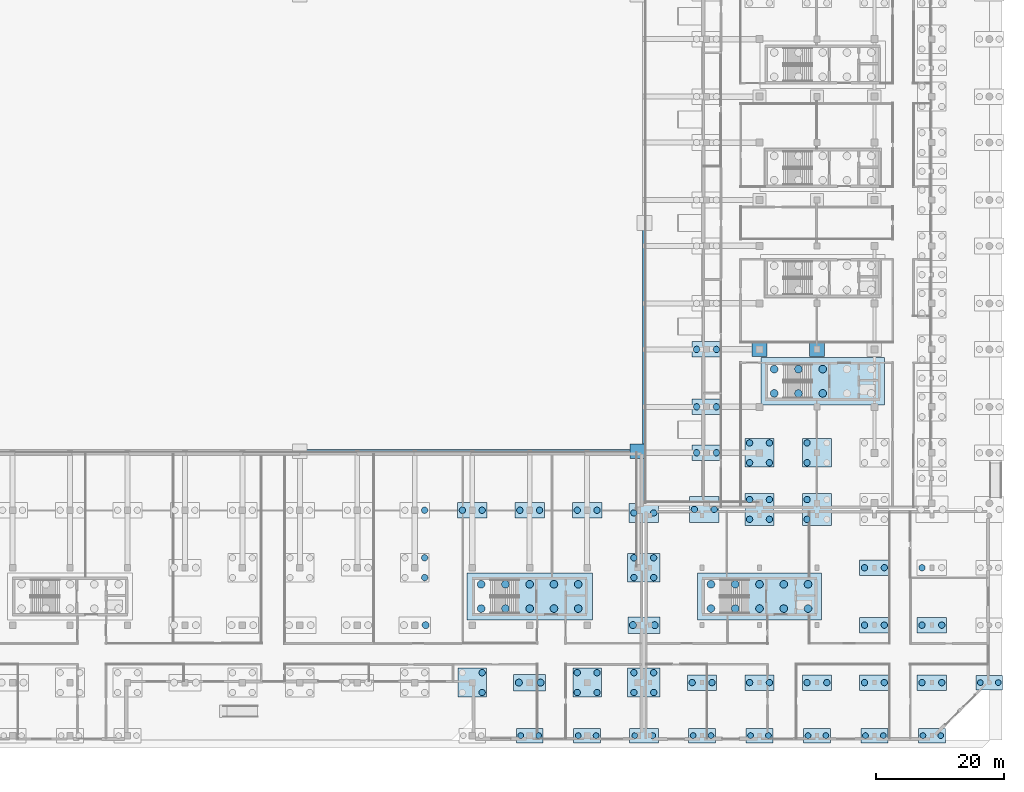
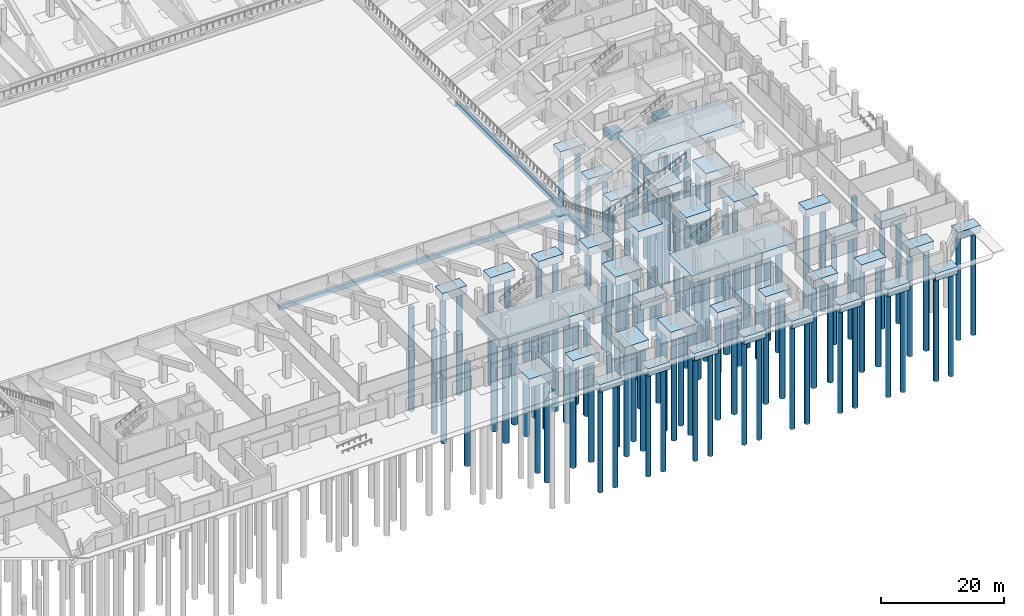
# One storey, part 4 of 53: 111 piles, 43 footings.
"""IFC4 building model written with IfcOpenShell, lengths in metres."""

from ifc_helpers import new_model, si_unit, direction, frame, origin, origin_2d, place, context, subcontext, project, spatial, rectangle, circle, extrude, material, layer, layer_set, material_profile, profile_set, type_object, element, save


model = new_model("IFC4")

# Units and contexts
model_context = context("Model", 3, precision=1e-05, world=origin(), true_north=direction((0.0, 1.0)))
body_context = subcontext(model_context, "Body", "Model", "MODEL_VIEW")
ifc_project = project(units=[si_unit("LENGTHUNIT", "METRE"), si_unit("AREAUNIT", "SQUARE_METRE"), si_unit("VOLUMEUNIT", "CUBIC_METRE"), si_unit("PLANEANGLEUNIT", "RADIAN"), si_unit("MASSUNIT", "GRAM", prefix="KILO"), si_unit("THERMODYNAMICTEMPERATUREUNIT", "KELVIN"), si_unit("POWERUNIT", "WATT")], contexts=[model_context])

# Site, building, storey
site_placement = place(None, origin())
site = spatial("IfcSite", under=ifc_project, at=site_placement, CompositionType="ELEMENT")
building_placement = place(site_placement, origin())
building = spatial("IfcBuilding", under=site, at=building_placement, Name="Sindhuravela Promenade Stadium", CompositionType="ELEMENT")
storey_placement = place(building_placement, origin())
storey = spatial("IfcBuildingStorey", under=building, at=storey_placement, Name="L00", CompositionType="ELEMENT", Elevation=0.0)

# Footings
ifc_material_1 = material(Name="Concrete M40", Category="concrete")
ifc_material_profile_1 = material_profile(ifc_material_1, rectangle(XDim=0.60009765625, YDim=0.89990234375, at=origin_2d()), Name="RC 600x900")
ifc_profile_set_1 = profile_set([ifc_material_profile_1], Name="Concrete M40")
footing_type_1 = type_object("IfcFootingType", Name="FD-FB-600x900", PredefinedType="FOOTING_BEAM", material=ifc_profile_set_1)
footing_1_placement = place(storey_placement, frame((162.0, 37.10009765625, -0.449951171875), z_axis=(0.0, 1.0, 0.0), x_axis=(-1.0, 0.0, 0.0)))
element("IfcFooting", 1, at=footing_1_placement, inside=storey, type_object=footing_type_1, Name="Ground tie beam FB-PW-E1", PredefinedType="FOOTING_BEAM", context=body_context, shape_type="SweptSolid", body=[
    extrude(rectangle(XDim=0.60009765625, YDim=0.89990234375, at=origin_2d()), origin(), (0.0, 0.0, 1.0), 43.89990234375),
])
footing_2_placement = place(storey_placement, frame((108.0, 45.25, -0.449951171875), z_axis=(1.0, 0.0, 0.0), x_axis=(0.0, 1.0, 0.0)))
element("IfcFooting", 2, at=footing_2_placement, inside=storey, type_object=footing_type_1, Name="Ground tie beam FB-PW-S2", PredefinedType="FOOTING_BEAM", context=body_context, shape_type="SweptSolid", body=[
    extrude(rectangle(XDim=0.60009765625, YDim=0.89990234375, at=origin_2d()), origin(), (0.0, 0.0, 1.0), 52.89990234375),
])
ifc_material_2 = material(Name="Concrete M50", Category="concrete")
ifc_layer_1 = layer(ifc_material_2, 1.75)
ifc_layer_set_1 = layer_set([ifc_layer_1], Name="Concrete M50")
footing_type_2 = type_object("IfcFootingType", Name="FD-PC-19400x7400x1750", PredefinedType="PILE_CAP", material=ifc_layer_set_1)
footing_3_placement = place(storey_placement, frame((189.89990234375, 56.199951171875, -1.75), z_axis=(0.0, 0.0, 1.0), x_axis=(1.0, 0.0, 0.0)))
element("IfcFooting", 3, at=footing_3_placement, inside=storey, type_object=footing_type_2, Name="Core pile cap C05", PredefinedType="PILE_CAP", context=body_context, shape_type="SweptSolid", body=[
    extrude(rectangle(XDim=19.39990234375, YDim=7.39990234375, at=origin_2d()), origin(), (0.0, 0.0, 1.0), 1.75),
])
ifc_layer_2 = layer(ifc_material_2, 1.449951171875)
ifc_layer_set_2 = layer_set([ifc_layer_2], Name="Concrete M50")
footing_type_3 = type_object("IfcFootingType", Name="FD-PC-19500x7400x1450", PredefinedType="PILE_CAP", material=ifc_layer_set_2)
footing_4_placement = place(storey_placement, frame((180.0, 22.5, -1.4501953125), z_axis=(0.0, 0.0, 1.0), x_axis=(1.0, 0.0, 0.0)))
element("IfcFooting", 4, at=footing_4_placement, inside=storey, type_object=footing_type_3, Name="Core pile cap C14", PredefinedType="PILE_CAP", context=body_context, shape_type="SweptSolid", body=[
    extrude(rectangle(XDim=19.5, YDim=7.39990234375, at=origin_2d()), origin(), (0.0, 0.0, 1.0), 1.449951171875),
])
ifc_layer_3 = layer(ifc_material_2, 1.60009765625)
ifc_layer_set_3 = layer_set([ifc_layer_3], Name="Concrete M50")
footing_type_4 = type_object("IfcFootingType", Name="FD-PC-19700x7400x1600", PredefinedType="PILE_CAP", material=ifc_layer_set_3)
footing_5_placement = place(storey_placement, frame((144.0, 22.5, -1.60009765625), z_axis=(0.0, 0.0, 1.0), x_axis=(1.0, 0.0, 0.0)))
element("IfcFooting", 5, at=footing_5_placement, inside=storey, type_object=footing_type_4, Name="Core pile cap C12", PredefinedType="PILE_CAP", context=body_context, shape_type="SweptSolid", body=[
    extrude(rectangle(XDim=19.699951171875, YDim=7.39990234375, at=origin_2d()), origin(), (0.0, 0.0, 1.0), 1.60009765625),
])
ifc_layer_4 = layer(ifc_material_2, 1.449951171875)
ifc_layer_set_4 = layer_set([ifc_layer_4], Name="Concrete M50")
footing_type_5 = type_object("IfcFootingType", Name="FD-PC-4200x2250x1450", PredefinedType="PILE_CAP", material=ifc_layer_set_4)
for number, where, z_axis, x_axis, name in (
    (6, (144.0, 0.699951171875, -1.4501953125), (0.0, 0.0, 1.0), (1.0, 0.0, 0.0), "Pile cap PC30-0252"),
    (7, (153.0, 0.699951171875, -1.4501953125), (0.0, 0.0, 1.0), (1.0, 0.0, 0.0), "Pile cap PC30-0257"),
    (8, (171.0, 0.699951171875, -1.4501953125), (0.0, 0.0, 1.0), (1.0, 0.0, 0.0), "Pile cap PC30-0290"),
    (9, (180.0, 0.699951171875, -1.4501953125), (0.0, 0.0, 1.0), (1.0, 0.0, 0.0), "Pile cap PC30-0294"),
    (10, (189.0, 0.699951171875, -1.4501953125), (0.0, 0.0, 1.0), (1.0, 0.0, 0.0), "Pile cap PC30-0298"),
    (11, (198.0, 0.699951171875, -1.4501953125), (0.0, 0.0, 1.0), (1.0, 0.0, 0.0), "Pile cap PC30-0302"),
    (12, (207.0, 0.699951171875, -1.4501953125), (0.0, 0.0, 1.0), (1.0, 0.0, 0.0), "Pile cap PC30-0306"),
    (13, (216.0, 9.0, -1.4501953125), (0.0, 0.0, 1.0), (1.0, 0.0, 0.0), "Pile cap PC30-0310"),
):
    element("IfcFooting", number, at=place(storey_placement, frame(where, z_axis=z_axis, x_axis=x_axis)), inside=storey, type_object=footing_type_5, Name=name, PredefinedType="PILE_CAP", context=body_context, shape_type="SweptSolid", body=[
        extrude(rectangle(XDim=4.199951171875, YDim=2.25, at=origin_2d()), origin(), (0.0, 0.0, 1.0), 1.449951171875),
    ])
ifc_layer_5 = layer(ifc_material_2, 1.75)
ifc_layer_set_5 = layer_set([ifc_layer_5], Name="Concrete M50")
footing_type_6 = type_object("IfcFootingType", Name="FD-PC-4500x4500x1750", PredefinedType="PILE_CAP", material=ifc_layer_set_5)
for number, where, z_axis, x_axis, name in (
    (14, (180.0, 45.0, -1.75), (0.0, 0.0, 1.0), (1.0, 0.0, 0.0), "Pile cap PC26-0086"),
    (15, (189.0, 45.0, -1.75), (0.0, 0.0, 1.0), (1.0, 0.0, 0.0), "Pile cap PC26-0098"),
    (16, (135.0, 9.0, -1.75), (0.0, 0.0, 1.0), (1.0, 0.0, 0.0), "Pile cap PC26-0248"),
    (17, (153.0, 9.0, -1.75), (0.0, 0.0, 1.0), (1.0, 0.0, 0.0), "Pile cap PC26-0258"),
):
    element("IfcFooting", number, at=place(storey_placement, frame(where, z_axis=z_axis, x_axis=x_axis)), inside=storey, type_object=footing_type_6, Name=name, PredefinedType="PILE_CAP", context=body_context, shape_type="SweptSolid", body=[
        extrude(rectangle(XDim=4.5, YDim=4.5, at=origin_2d()), origin(), (0.0, 0.0, 1.0), 1.75),
    ])
ifc_layer_6 = layer(ifc_material_2, 1.75)
ifc_layer_set_6 = layer_set([ifc_layer_6], Name="Concrete M50")
footing_type_7 = type_object("IfcFootingType", Name="FD-PC-4500x5050x1750", PredefinedType="PILE_CAP", material=ifc_layer_set_6)
for number, where, z_axis, x_axis, name in (
    (18, (180.0, 36.125, -1.75), (0.0, 0.0, 1.0), (1.0, 0.0, 0.0), "Pile cap PC17-0085"),
    (19, (189.0, 36.125, -1.75), (0.0, 0.0, 1.0), (1.0, 0.0, 0.0), "Pile cap PC17-0097"),
):
    element("IfcFooting", number, at=place(storey_placement, frame(where, z_axis=z_axis, x_axis=x_axis)), inside=storey, type_object=footing_type_7, Name=name, PredefinedType="PILE_CAP", context=body_context, shape_type="SweptSolid", body=[
        extrude(rectangle(XDim=4.5, YDim=5.050048828125, at=origin_2d()), origin(), (0.0, 0.0, 1.0), 1.75),
    ])
ifc_layer_7 = layer(ifc_material_2, 1.449951171875)
ifc_layer_set_7 = layer_set([ifc_layer_7], Name="Concrete M50")
footing_type_8 = type_object("IfcFootingType", Name="FD-PC-4550x2250x1450", PredefinedType="PILE_CAP", material=ifc_layer_set_7)
footing_6_placement = place(storey_placement, frame((161.875, 0.699951171875, -1.4501953125), z_axis=(0.0, 0.0, 1.0), x_axis=(1.0, 0.0, 0.0)))
element("IfcFooting", 20, at=footing_6_placement, inside=storey, type_object=footing_type_8, Name="Pile cap PC29-0262", PredefinedType="PILE_CAP", context=body_context, shape_type="SweptSolid", body=[
    extrude(rectangle(XDim=4.550048828125, YDim=2.25, at=origin_2d()), origin(), (0.0, 0.0, 1.0), 1.449951171875),
])
ifc_layer_8 = layer(ifc_material_2, 1.550048828125)
ifc_layer_set_8 = layer_set([ifc_layer_8], Name="Concrete M50")
footing_type_9 = type_object("IfcFootingType", Name="FD-PC-4600x2450x1550", PredefinedType="PILE_CAP", material=ifc_layer_set_8)
for number, where, z_axis, x_axis, name in (
    (21, (171.699951171875, 45.0, -1.5498046875), (0.0, 0.0, 1.0), (1.0, 0.0, 0.0), "Pile cap PC25-0074"),
    (22, (171.699951171875, 52.199951171875, -1.5498046875), (0.0, 0.0, 1.0), (1.0, 0.0, 0.0), "Pile cap PC25-0075"),
    (23, (171.699951171875, 61.199951171875, -1.5498046875), (0.0, 0.0, 1.0), (1.0, 0.0, 0.0), "Pile cap PC25-0076"),
    (24, (135.0, 36.0, -1.5498046875), (0.0, 0.0, 1.0), (1.0, 0.0, 0.0), "Pile cap PC25-0251"),
    (25, (144.0, 36.0, -1.5498046875), (0.0, 0.0, 1.0), (1.0, 0.0, 0.0), "Pile cap PC25-0256"),
    (26, (153.0, 36.0, -1.5498046875), (0.0, 0.0, 1.0), (1.0, 0.0, 0.0), "Pile cap PC25-0261"),
    (27, (171.0, 9.0, -1.5498046875), (0.0, 0.0, 1.0), (1.0, 0.0, 0.0), "Pile cap PC25-0291"),
    (28, (180.0, 9.0, -1.5498046875), (0.0, 0.0, 1.0), (1.0, 0.0, 0.0), "Pile cap PC25-0295"),
    (29, (189.0, 9.0, -1.5498046875), (0.0, 0.0, 1.0), (1.0, 0.0, 0.0), "Pile cap PC25-0299"),
    (30, (198.0, 9.0, -1.5498046875), (0.0, 0.0, 1.0), (1.0, 0.0, 0.0), "Pile cap PC25-0303"),
    (31, (198.0, 18.0, -1.5498046875), (0.0, 0.0, 1.0), (1.0, 0.0, 0.0), "Pile cap PC25-0304"),
    (32, (198.0, 27.0, -1.5498046875), (0.0, 0.0, 1.0), (1.0, 0.0, 0.0), "Pile cap PC25-0305"),
    (33, (207.0, 9.0, -1.5498046875), (0.0, 0.0, 1.0), (1.0, 0.0, 0.0), "Pile cap PC25-0307"),
    (34, (207.0, 18.0, -1.5498046875), (0.0, 0.0, 1.0), (1.0, 0.0, 0.0), "Pile cap PC25-0308"),
):
    element("IfcFooting", number, at=place(storey_placement, frame(where, z_axis=z_axis, x_axis=x_axis)), inside=storey, type_object=footing_type_9, Name=name, PredefinedType="PILE_CAP", context=body_context, shape_type="SweptSolid", body=[
        extrude(rectangle(XDim=4.60009765625, YDim=2.449951171875, at=origin_2d()), origin(), (0.0, 0.0, 1.0), 1.550048828125),
    ])
ifc_layer_9 = layer(ifc_material_2, 1.550048828125)
ifc_layer_set_9 = layer_set([ifc_layer_9], Name="Concrete M50")
footing_type_10 = type_object("IfcFootingType", Name="FD-PC-4600x4100x1550", PredefinedType="PILE_CAP", material=ifc_layer_set_9)
footing_7_placement = place(storey_placement, frame((171.35009765625, 36.125, -1.5498046875), z_axis=(0.0, 0.0, 1.0), x_axis=(1.0, 0.0, 0.0)))
element("IfcFooting", 35, at=footing_7_placement, inside=storey, type_object=footing_type_10, Name="Pile cap PC24-0073", PredefinedType="PILE_CAP", context=body_context, shape_type="SweptSolid", body=[
    extrude(rectangle(XDim=4.60009765625, YDim=4.10009765625, at=origin_2d()), origin(), (0.0, 0.0, 1.0), 1.550048828125),
])
ifc_layer_10 = layer(ifc_material_2, 1.550048828125)
ifc_layer_set_10 = layer_set([ifc_layer_10], Name="Concrete M50")
footing_type_11 = type_object("IfcFootingType", Name="FD-PC-4650x3000x1550", PredefinedType="PILE_CAP", material=ifc_layer_set_10)
footing_8_placement = place(storey_placement, frame((161.875, 35.574951171875, -1.5498046875), z_axis=(0.0, 0.0, 1.0), x_axis=(1.0, 0.0, 0.0)))
element("IfcFooting", 36, at=footing_8_placement, inside=storey, type_object=footing_type_11, Name="Pile cap PC27-0266", PredefinedType="PILE_CAP", context=body_context, shape_type="SweptSolid", body=[
    extrude(rectangle(XDim=4.64990234375, YDim=3.0, at=origin_2d()), origin(), (0.0, 0.0, 1.0), 1.550048828125),
])
ifc_layer_11 = layer(ifc_material_2, 1.64990234375)
ifc_layer_set_11 = layer_set([ifc_layer_11], Name="Concrete M50")
footing_type_12 = type_object("IfcFootingType", Name="FD-PC-5000x2600x1650", PredefinedType="PILE_CAP", material=ifc_layer_set_11)
for number, where, z_axis, x_axis, name in (
    (37, (144.0, 9.0, -1.64990234375), (0.0, 0.0, 1.0), (1.0, 0.0, 0.0), "Pile cap PC23-0253"),
    (38, (161.875, 18.0, -1.64990234375), (0.0, 0.0, 1.0), (1.0, 0.0, 0.0), "Pile cap PC23-0264"),
):
    element("IfcFooting", number, at=place(storey_placement, frame(where, z_axis=z_axis, x_axis=x_axis)), inside=storey, type_object=footing_type_12, Name=name, PredefinedType="PILE_CAP", context=body_context, shape_type="SweptSolid", body=[
        extrude(rectangle(XDim=5.0, YDim=2.60009765625, at=origin_2d()), origin(), (0.0, 0.0, 1.0), 1.64990234375),
    ])
ifc_layer_12 = layer(ifc_material_2, 1.75)
ifc_layer_set_12 = layer_set([ifc_layer_12], Name="Concrete M50")
footing_type_13 = type_object("IfcFootingType", Name="FD-PC-5050x4500x1750", PredefinedType="PILE_CAP", material=ifc_layer_set_12)
for number, where, z_axis, x_axis, name in (
    (39, (161.875, 9.0, -1.75), (0.0, 0.0, 1.0), (1.0, 0.0, 0.0), "Pile cap PC28-0263"),
    (40, (161.875, 27.0, -1.75), (0.0, 0.0, 1.0), (1.0, 0.0, 0.0), "Pile cap PC28-0265"),
):
    element("IfcFooting", number, at=place(storey_placement, frame(where, z_axis=z_axis, x_axis=x_axis)), inside=storey, type_object=footing_type_13, Name=name, PredefinedType="PILE_CAP", context=body_context, shape_type="SweptSolid", body=[
        extrude(rectangle(XDim=5.050048828125, YDim=4.5, at=origin_2d()), origin(), (0.0, 0.0, 1.0), 1.75),
    ])
ifc_layer_13 = layer(ifc_material_2, 1.25)
ifc_layer_set_13 = layer_set([ifc_layer_13], Name="Concrete M50")
footing_type_14 = type_object("IfcFootingType", Name="FD-PF-2300x2300x1250", PredefinedType="PAD_FOOTING", material=ifc_layer_set_13)
for number, where, z_axis, x_axis, name in (
    (41, (180.0, 61.199951171875, -1.25), (0.0, 0.0, 1.0), (1.0, 0.0, 0.0), "Pad footing PF19-0088"),
    (42, (189.0, 61.199951171875, -1.25), (0.0, 0.0, 1.0), (1.0, 0.0, 0.0), "Pad footing PF19-0100"),
    (43, (160.89990234375, 45.25, -1.25), (0.0, 0.0, 1.0), (1.0, 0.0, 0.0), "Bowl plinth pad footing 9"),
):
    element("IfcFooting", number, at=place(storey_placement, frame(where, z_axis=z_axis, x_axis=x_axis)), inside=storey, type_object=footing_type_14, Name=name, PredefinedType="PAD_FOOTING", context=body_context, shape_type="SweptSolid", body=[
        extrude(rectangle(XDim=2.300048828125, YDim=2.300048828125, at=origin_2d()), origin(), (0.0, 0.0, 1.0), 1.25),
    ])

# Piles
ifc_material_profile_2 = material_profile(ifc_material_1, circle(Radius=0.5, at=origin_2d()), Name="BORED PILE D1000")
ifc_profile_set_2 = profile_set([ifc_material_profile_2], Name="Concrete M40")
pile_type_1 = type_object("IfcPileType", Name="FD-PL-1000", PredefinedType="BORED", material=ifc_profile_set_2)
for number, where, z_axis, x_axis, name in (
    (44, (169.800048828125, 36.125, -1.449951171875), (0.0, 0.0, -1.0), (1.0, 0.0, 0.0), "Bored pile P1000-0329"),
    (45, (172.89990234375, 36.125, -1.449951171875), (0.0, 0.0, -1.0), (1.0, 0.0, 0.0), "Bored pile P1000-0330"),
    (46, (170.14990234375, 45.0, -1.449951171875), (0.0, 0.0, -1.0), (1.0, 0.0, 0.0), "Bored pile P1000-0331"),
    (47, (173.25, 45.0, -1.449951171875), (0.0, 0.0, -1.0), (1.0, 0.0, 0.0), "Bored pile P1000-0332"),
    (48, (170.14990234375, 52.199951171875, -1.449951171875), (0.0, 0.0, -1.0), (1.0, 0.0, 0.0), "Bored pile P1000-0333"),
    (49, (173.25, 52.199951171875, -1.449951171875), (0.0, 0.0, -1.0), (1.0, 0.0, 0.0), "Bored pile P1000-0334"),
    (50, (170.14990234375, 61.199951171875, -1.449951171875), (0.0, 0.0, -1.0), (1.0, 0.0, 0.0), "Bored pile P1000-0335"),
    (51, (173.25, 61.199951171875, -1.449951171875), (0.0, 0.0, -1.0), (1.0, 0.0, 0.0), "Bored pile P1000-0336"),
):
    element("IfcPile", number, at=place(storey_placement, frame(where, z_axis=z_axis, x_axis=x_axis)), inside=storey, type_object=pile_type_1, Name=name, PredefinedType="BORED", context=body_context, shape_type="SweptSolid", body=[
        extrude(circle(Radius=0.5, at=origin_2d()), origin(), (0.0, 0.0, 1.0), 20.550048828125),
    ])
for number, where, z_axis, x_axis, name in (
    (52, (178.449951171875, 34.574951171875, -1.64990234375), (0.0, 0.0, -1.0), (1.0, 0.0, 0.0), "Bored pile P1000-0353"),
    (53, (181.550048828125, 34.574951171875, -1.64990234375), (0.0, 0.0, -1.0), (1.0, 0.0, 0.0), "Bored pile P1000-0354"),
    (54, (178.449951171875, 37.675048828125, -1.64990234375), (0.0, 0.0, -1.0), (1.0, 0.0, 0.0), "Bored pile P1000-0355"),
    (55, (181.550048828125, 37.675048828125, -1.64990234375), (0.0, 0.0, -1.0), (1.0, 0.0, 0.0), "Bored pile P1000-0356"),
    (56, (178.449951171875, 43.449951171875, -1.64990234375), (0.0, 0.0, -1.0), (1.0, 0.0, 0.0), "Bored pile P1000-0357"),
    (57, (181.550048828125, 43.449951171875, -1.64990234375), (0.0, 0.0, -1.0), (1.0, 0.0, 0.0), "Bored pile P1000-0358"),
    (58, (178.449951171875, 46.550048828125, -1.64990234375), (0.0, 0.0, -1.0), (1.0, 0.0, 0.0), "Bored pile P1000-0359"),
    (59, (181.550048828125, 46.550048828125, -1.64990234375), (0.0, 0.0, -1.0), (1.0, 0.0, 0.0), "Bored pile P1000-0360"),
    (60, (187.449951171875, 34.574951171875, -1.64990234375), (0.0, 0.0, -1.0), (1.0, 0.0, 0.0), "Bored pile P1000-0369"),
    (61, (187.449951171875, 37.675048828125, -1.64990234375), (0.0, 0.0, -1.0), (1.0, 0.0, 0.0), "Bored pile P1000-0371"),
    (62, (187.449951171875, 43.449951171875, -1.64990234375), (0.0, 0.0, -1.0), (1.0, 0.0, 0.0), "Bored pile P1000-0373"),
    (63, (187.449951171875, 46.550048828125, -1.64990234375), (0.0, 0.0, -1.0), (1.0, 0.0, 0.0), "Bored pile P1000-0375"),
    (64, (127.550048828125, 25.449951171875, -1.64990234375), (0.0, 0.0, -1.0), (1.0, 0.0, 0.0), "Bored pile P1000-0680"),
    (65, (127.550048828125, 28.550048828125, -1.64990234375), (0.0, 0.0, -1.0), (1.0, 0.0, 0.0), "Bored pile P1000-0682"),
):
    element("IfcPile", number, at=place(storey_placement, frame(where, z_axis=z_axis, x_axis=x_axis)), inside=storey, type_object=pile_type_1, Name=name, PredefinedType="BORED", context=body_context, shape_type="SweptSolid", body=[
        extrude(circle(Radius=0.5, at=origin_2d()), origin(), (0.0, 0.0, 1.0), 20.35009765625),
    ])
pile_placement = place(storey_placement, frame((127.550048828125, 36.0, -1.449951171875), z_axis=(0.0, 0.0, -1.0), x_axis=(1.0, 0.0, 0.0)))
element("IfcPile", 66, at=pile_placement, inside=storey, type_object=pile_type_1, Name="Bored pile P1000-0684", PredefinedType="BORED", context=body_context, shape_type="SweptSolid", body=[
    extrude(circle(Radius=0.5, at=origin_2d()), origin(), (0.0, 0.0, 1.0), 20.550048828125),
])
for number, where, z_axis, x_axis, name in (
    (67, (136.550048828125, 7.449951171875, -1.64990234375), (0.0, 0.0, -1.0), (1.0, 0.0, 0.0), "Bored pile P1000-0688"),
    (68, (136.550048828125, 10.550048828125, -1.64990234375), (0.0, 0.0, -1.0), (1.0, 0.0, 0.0), "Bored pile P1000-0690"),
):
    element("IfcPile", number, at=place(storey_placement, frame(where, z_axis=z_axis, x_axis=x_axis)), inside=storey, type_object=pile_type_1, Name=name, PredefinedType="BORED", context=body_context, shape_type="SweptSolid", body=[
        extrude(circle(Radius=0.5, at=origin_2d()), origin(), (0.0, 0.0, 1.0), 20.35009765625),
    ])
for number, where, z_axis, x_axis, name in (
    (69, (133.449951171875, 36.0, -1.449951171875), (0.0, 0.0, -1.0), (1.0, 0.0, 0.0), "Bored pile P1000-0691"),
    (70, (136.550048828125, 36.0, -1.449951171875), (0.0, 0.0, -1.0), (1.0, 0.0, 0.0), "Bored pile P1000-0692"),
    (71, (142.449951171875, 36.0, -1.449951171875), (0.0, 0.0, -1.0), (1.0, 0.0, 0.0), "Bored pile P1000-0697"),
    (72, (145.550048828125, 36.0, -1.449951171875), (0.0, 0.0, -1.0), (1.0, 0.0, 0.0), "Bored pile P1000-0698"),
):
    element("IfcPile", number, at=place(storey_placement, frame(where, z_axis=z_axis, x_axis=x_axis)), inside=storey, type_object=pile_type_1, Name=name, PredefinedType="BORED", context=body_context, shape_type="SweptSolid", body=[
        extrude(circle(Radius=0.5, at=origin_2d()), origin(), (0.0, 0.0, 1.0), 20.550048828125),
    ])
for number, where, z_axis, x_axis, name in (
    (73, (151.449951171875, 7.449951171875, -1.64990234375), (0.0, 0.0, -1.0), (1.0, 0.0, 0.0), "Bored pile P1000-0701"),
    (74, (154.550048828125, 7.449951171875, -1.64990234375), (0.0, 0.0, -1.0), (1.0, 0.0, 0.0), "Bored pile P1000-0702"),
    (75, (151.449951171875, 10.550048828125, -1.64990234375), (0.0, 0.0, -1.0), (1.0, 0.0, 0.0), "Bored pile P1000-0703"),
    (76, (154.550048828125, 10.550048828125, -1.64990234375), (0.0, 0.0, -1.0), (1.0, 0.0, 0.0), "Bored pile P1000-0704"),
):
    element("IfcPile", number, at=place(storey_placement, frame(where, z_axis=z_axis, x_axis=x_axis)), inside=storey, type_object=pile_type_1, Name=name, PredefinedType="BORED", context=body_context, shape_type="SweptSolid", body=[
        extrude(circle(Radius=0.5, at=origin_2d()), origin(), (0.0, 0.0, 1.0), 20.35009765625),
    ])
for number, where, z_axis, x_axis, name in (
    (77, (151.449951171875, 36.0, -1.449951171875), (0.0, 0.0, -1.0), (1.0, 0.0, 0.0), "Bored pile P1000-0705"),
    (78, (154.550048828125, 36.0, -1.449951171875), (0.0, 0.0, -1.0), (1.0, 0.0, 0.0), "Bored pile P1000-0706"),
):
    element("IfcPile", number, at=place(storey_placement, frame(where, z_axis=z_axis, x_axis=x_axis)), inside=storey, type_object=pile_type_1, Name=name, PredefinedType="BORED", context=body_context, shape_type="SweptSolid", body=[
        extrude(circle(Radius=0.5, at=origin_2d()), origin(), (0.0, 0.0, 1.0), 20.550048828125),
    ])
for number, where, z_axis, x_axis, name in (
    (79, (160.324951171875, 7.449951171875, -1.64990234375), (0.0, 0.0, -1.0), (1.0, 0.0, 0.0), "Bored pile P1000-0709"),
    (80, (163.425048828125, 7.449951171875, -1.64990234375), (0.0, 0.0, -1.0), (1.0, 0.0, 0.0), "Bored pile P1000-0710"),
    (81, (160.324951171875, 10.550048828125, -1.64990234375), (0.0, 0.0, -1.0), (1.0, 0.0, 0.0), "Bored pile P1000-0711"),
    (82, (163.425048828125, 10.550048828125, -1.64990234375), (0.0, 0.0, -1.0), (1.0, 0.0, 0.0), "Bored pile P1000-0712"),
    (83, (160.324951171875, 25.449951171875, -1.64990234375), (0.0, 0.0, -1.0), (1.0, 0.0, 0.0), "Bored pile P1000-0715"),
    (84, (163.425048828125, 25.449951171875, -1.64990234375), (0.0, 0.0, -1.0), (1.0, 0.0, 0.0), "Bored pile P1000-0716"),
    (85, (160.324951171875, 28.550048828125, -1.64990234375), (0.0, 0.0, -1.0), (1.0, 0.0, 0.0), "Bored pile P1000-0717"),
    (86, (163.425048828125, 28.550048828125, -1.64990234375), (0.0, 0.0, -1.0), (1.0, 0.0, 0.0), "Bored pile P1000-0718"),
):
    element("IfcPile", number, at=place(storey_placement, frame(where, z_axis=z_axis, x_axis=x_axis)), inside=storey, type_object=pile_type_1, Name=name, PredefinedType="BORED", context=body_context, shape_type="SweptSolid", body=[
        extrude(circle(Radius=0.5, at=origin_2d()), origin(), (0.0, 0.0, 1.0), 20.35009765625),
    ])
for number, where, z_axis, x_axis, name in (
    (87, (160.324951171875, 35.574951171875, -1.449951171875), (0.0, 0.0, -1.0), (1.0, 0.0, 0.0), "Bored pile P1000-0719"),
    (88, (163.425048828125, 35.574951171875, -1.449951171875), (0.0, 0.0, -1.0), (1.0, 0.0, 0.0), "Bored pile P1000-0720"),
    (89, (169.449951171875, 9.0, -1.449951171875), (0.0, 0.0, -1.0), (1.0, 0.0, 0.0), "Bored pile P1000-0757"),
    (90, (172.550048828125, 9.0, -1.449951171875), (0.0, 0.0, -1.0), (1.0, 0.0, 0.0), "Bored pile P1000-0758"),
    (91, (178.449951171875, 9.0, -1.449951171875), (0.0, 0.0, -1.0), (1.0, 0.0, 0.0), "Bored pile P1000-0761"),
    (92, (181.550048828125, 9.0, -1.449951171875), (0.0, 0.0, -1.0), (1.0, 0.0, 0.0), "Bored pile P1000-0762"),
    (93, (187.449951171875, 9.0, -1.449951171875), (0.0, 0.0, -1.0), (1.0, 0.0, 0.0), "Bored pile P1000-0765"),
    (94, (190.550048828125, 9.0, -1.449951171875), (0.0, 0.0, -1.0), (1.0, 0.0, 0.0), "Bored pile P1000-0766"),
    (95, (196.449951171875, 9.0, -1.449951171875), (0.0, 0.0, -1.0), (1.0, 0.0, 0.0), "Bored pile P1000-0769"),
    (96, (199.550048828125, 9.0, -1.449951171875), (0.0, 0.0, -1.0), (1.0, 0.0, 0.0), "Bored pile P1000-0770"),
    (97, (196.449951171875, 18.0, -1.449951171875), (0.0, 0.0, -1.0), (1.0, 0.0, 0.0), "Bored pile P1000-0771"),
    (98, (199.550048828125, 18.0, -1.449951171875), (0.0, 0.0, -1.0), (1.0, 0.0, 0.0), "Bored pile P1000-0772"),
    (99, (196.449951171875, 27.0, -1.449951171875), (0.0, 0.0, -1.0), (1.0, 0.0, 0.0), "Bored pile P1000-0773"),
    (100, (199.550048828125, 27.0, -1.449951171875), (0.0, 0.0, -1.0), (1.0, 0.0, 0.0), "Bored pile P1000-0774"),
    (101, (205.449951171875, 9.0, -1.449951171875), (0.0, 0.0, -1.0), (1.0, 0.0, 0.0), "Bored pile P1000-0777"),
    (102, (208.550048828125, 9.0, -1.449951171875), (0.0, 0.0, -1.0), (1.0, 0.0, 0.0), "Bored pile P1000-0778"),
    (103, (205.449951171875, 18.0, -1.449951171875), (0.0, 0.0, -1.0), (1.0, 0.0, 0.0), "Bored pile P1000-0779"),
    (104, (208.550048828125, 18.0, -1.449951171875), (0.0, 0.0, -1.0), (1.0, 0.0, 0.0), "Bored pile P1000-0780"),
    (105, (205.449951171875, 27.0, -1.449951171875), (0.0, 0.0, -1.0), (1.0, 0.0, 0.0), "Bored pile P1000-0781"),
):
    element("IfcPile", number, at=place(storey_placement, frame(where, z_axis=z_axis, x_axis=x_axis)), inside=storey, type_object=pile_type_1, Name=name, PredefinedType="BORED", context=body_context, shape_type="SweptSolid", body=[
        extrude(circle(Radius=0.5, at=origin_2d()), origin(), (0.0, 0.0, 1.0), 20.550048828125),
    ])
ifc_material_profile_3 = material_profile(ifc_material_1, circle(Radius=0.550048828125, at=origin_2d()), Name="BORED PILE D1100")
ifc_profile_set_3 = profile_set([ifc_material_profile_3], Name="Concrete M40")
pile_type_2 = type_object("IfcPileType", Name="FD-PL-1100", PredefinedType="BORED", material=ifc_profile_set_3)
for number, where, z_axis, x_axis, name in (
    (106, (127.699951171875, 18.0, -1.550048828125), (0.0, 0.0, -1.0), (1.0, 0.0, 0.0), "Bored pile P1100-0678"),
    (107, (142.300048828125, 9.0, -1.550048828125), (0.0, 0.0, -1.0), (1.0, 0.0, 0.0), "Bored pile P1100-0695"),
    (108, (145.699951171875, 9.0, -1.550048828125), (0.0, 0.0, -1.0), (1.0, 0.0, 0.0), "Bored pile P1100-0696"),
    (109, (160.175048828125, 18.0, -1.550048828125), (0.0, 0.0, -1.0), (1.0, 0.0, 0.0), "Bored pile P1100-0713"),
    (110, (163.574951171875, 18.0, -1.550048828125), (0.0, 0.0, -1.0), (1.0, 0.0, 0.0), "Bored pile P1100-0714"),
):
    element("IfcPile", number, at=place(storey_placement, frame(where, z_axis=z_axis, x_axis=x_axis)), inside=storey, type_object=pile_type_2, Name=name, PredefinedType="BORED", context=body_context, shape_type="SweptSolid", body=[
        extrude(circle(Radius=0.550048828125, at=origin_2d()), origin(), (0.0, 0.0, 1.0), 20.449951171875),
    ])
ifc_material_profile_4 = material_profile(ifc_material_1, circle(Radius=0.60009765625, at=origin_2d()), Name="BORED PILE D1200")
ifc_profile_set_4 = profile_set([ifc_material_profile_4], Name="Concrete M40")
pile_type_3 = type_object("IfcPileType", Name="FD-PL-1200", PredefinedType="BORED", material=ifc_profile_set_4)
for number, where, z_axis, x_axis, name in (
    (111, (182.300048828125, 54.300048828125, -1.64990234375), (0.0, 0.0, -1.0), (1.0, 0.0, 0.0), "Bored pile P1200-0041"),
    (112, (182.300048828125, 58.10009765625, -1.64990234375), (0.0, 0.0, -1.0), (1.0, 0.0, 0.0), "Bored pile P1200-0042"),
    (113, (186.10009765625, 54.300048828125, -1.64990234375), (0.0, 0.0, -1.0), (1.0, 0.0, 0.0), "Bored pile P1200-0043"),
    (114, (186.10009765625, 58.10009765625, -1.64990234375), (0.0, 0.0, -1.0), (1.0, 0.0, 0.0), "Bored pile P1200-0044"),
    (115, (189.89990234375, 54.300048828125, -1.64990234375), (0.0, 0.0, -1.0), (1.0, 0.0, 0.0), "Bored pile P1200-0045"),
    (116, (189.89990234375, 58.10009765625, -1.64990234375), (0.0, 0.0, -1.0), (1.0, 0.0, 0.0), "Bored pile P1200-0046"),
):
    element("IfcPile", number, at=place(storey_placement, frame(where, z_axis=z_axis, x_axis=x_axis)), inside=storey, type_object=pile_type_3, Name=name, PredefinedType="BORED", context=body_context, shape_type="SweptSolid", body=[
        extrude(circle(Radius=0.60009765625, at=origin_2d()), origin(), (0.0, 0.0, 1.0), 20.35009765625),
    ])
for number, where, z_axis, x_axis, name in (
    (117, (136.39990234375, 20.60009765625, -1.5), (0.0, 0.0, -1.0), (1.0, 0.0, 0.0), "Bored pile P1200-0111"),
    (118, (136.39990234375, 24.39990234375, -1.5), (0.0, 0.0, -1.0), (1.0, 0.0, 0.0), "Bored pile P1200-0112"),
    (119, (140.199951171875, 20.60009765625, -1.5), (0.0, 0.0, -1.0), (1.0, 0.0, 0.0), "Bored pile P1200-0113"),
    (120, (140.199951171875, 24.39990234375, -1.5), (0.0, 0.0, -1.0), (1.0, 0.0, 0.0), "Bored pile P1200-0114"),
    (121, (144.0, 20.60009765625, -1.5), (0.0, 0.0, -1.0), (1.0, 0.0, 0.0), "Bored pile P1200-0115"),
    (122, (144.0, 24.39990234375, -1.5), (0.0, 0.0, -1.0), (1.0, 0.0, 0.0), "Bored pile P1200-0116"),
    (123, (147.800048828125, 20.60009765625, -1.5), (0.0, 0.0, -1.0), (1.0, 0.0, 0.0), "Bored pile P1200-0117"),
    (124, (147.800048828125, 24.39990234375, -1.5), (0.0, 0.0, -1.0), (1.0, 0.0, 0.0), "Bored pile P1200-0118"),
    (125, (151.60009765625, 20.60009765625, -1.5), (0.0, 0.0, -1.0), (1.0, 0.0, 0.0), "Bored pile P1200-0119"),
    (126, (151.60009765625, 24.39990234375, -1.5), (0.0, 0.0, -1.0), (1.0, 0.0, 0.0), "Bored pile P1200-0120"),
):
    element("IfcPile", number, at=place(storey_placement, frame(where, z_axis=z_axis, x_axis=x_axis)), inside=storey, type_object=pile_type_3, Name=name, PredefinedType="BORED", context=body_context, shape_type="SweptSolid", body=[
        extrude(circle(Radius=0.60009765625, at=origin_2d()), origin(), (0.0, 0.0, 1.0), 20.5),
    ])
for number, where, z_axis, x_axis, name in (
    (127, (172.39990234375, 20.60009765625, -1.35009765625), (0.0, 0.0, -1.0), (1.0, 0.0, 0.0), "Bored pile P1200-0131"),
    (128, (172.39990234375, 24.39990234375, -1.35009765625), (0.0, 0.0, -1.0), (1.0, 0.0, 0.0), "Bored pile P1200-0132"),
    (129, (176.199951171875, 20.60009765625, -1.35009765625), (0.0, 0.0, -1.0), (1.0, 0.0, 0.0), "Bored pile P1200-0133"),
    (130, (176.199951171875, 24.39990234375, -1.35009765625), (0.0, 0.0, -1.0), (1.0, 0.0, 0.0), "Bored pile P1200-0134"),
    (131, (180.0, 20.60009765625, -1.35009765625), (0.0, 0.0, -1.0), (1.0, 0.0, 0.0), "Bored pile P1200-0135"),
    (132, (180.0, 24.39990234375, -1.35009765625), (0.0, 0.0, -1.0), (1.0, 0.0, 0.0), "Bored pile P1200-0136"),
    (133, (183.800048828125, 20.60009765625, -1.35009765625), (0.0, 0.0, -1.0), (1.0, 0.0, 0.0), "Bored pile P1200-0137"),
    (134, (183.800048828125, 24.39990234375, -1.35009765625), (0.0, 0.0, -1.0), (1.0, 0.0, 0.0), "Bored pile P1200-0138"),
    (135, (187.60009765625, 20.60009765625, -1.35009765625), (0.0, 0.0, -1.0), (1.0, 0.0, 0.0), "Bored pile P1200-0139"),
    (136, (187.60009765625, 24.39990234375, -1.35009765625), (0.0, 0.0, -1.0), (1.0, 0.0, 0.0), "Bored pile P1200-0140"),
):
    element("IfcPile", number, at=place(storey_placement, frame(where, z_axis=z_axis, x_axis=x_axis)), inside=storey, type_object=pile_type_3, Name=name, PredefinedType="BORED", context=body_context, shape_type="SweptSolid", body=[
        extrude(circle(Radius=0.60009765625, at=origin_2d()), origin(), (0.0, 0.0, 1.0), 20.64990234375),
    ])
ifc_material_profile_5 = material_profile(ifc_material_1, circle(Radius=0.449951171875, at=origin_2d()), Name="BORED PILE D900")
ifc_profile_set_5 = profile_set([ifc_material_profile_5], Name="Concrete M40")
pile_type_4 = type_object("IfcPileType", Name="FD-PL-900", PredefinedType="BORED", material=ifc_profile_set_5)
for number, where, z_axis, x_axis, name in (
    (137, (142.60009765625, 0.699951171875, -1.35009765625), (0.0, 0.0, -1.0), (1.0, 0.0, 0.0), "Bored pile P900-0693"),
    (138, (145.39990234375, 0.699951171875, -1.35009765625), (0.0, 0.0, -1.0), (1.0, 0.0, 0.0), "Bored pile P900-0694"),
    (139, (151.60009765625, 0.699951171875, -1.35009765625), (0.0, 0.0, -1.0), (1.0, 0.0, 0.0), "Bored pile P900-0699"),
    (140, (154.39990234375, 0.699951171875, -1.35009765625), (0.0, 0.0, -1.0), (1.0, 0.0, 0.0), "Bored pile P900-0700"),
    (141, (160.47509765625, 0.699951171875, -1.35009765625), (0.0, 0.0, -1.0), (1.0, 0.0, 0.0), "Bored pile P900-0707"),
    (142, (163.27490234375, 0.699951171875, -1.35009765625), (0.0, 0.0, -1.0), (1.0, 0.0, 0.0), "Bored pile P900-0708"),
    (143, (169.60009765625, 0.699951171875, -1.35009765625), (0.0, 0.0, -1.0), (1.0, 0.0, 0.0), "Bored pile P900-0755"),
    (144, (172.39990234375, 0.699951171875, -1.35009765625), (0.0, 0.0, -1.0), (1.0, 0.0, 0.0), "Bored pile P900-0756"),
    (145, (178.60009765625, 0.699951171875, -1.35009765625), (0.0, 0.0, -1.0), (1.0, 0.0, 0.0), "Bored pile P900-0759"),
    (146, (181.39990234375, 0.699951171875, -1.35009765625), (0.0, 0.0, -1.0), (1.0, 0.0, 0.0), "Bored pile P900-0760"),
    (147, (187.60009765625, 0.699951171875, -1.35009765625), (0.0, 0.0, -1.0), (1.0, 0.0, 0.0), "Bored pile P900-0763"),
    (148, (190.39990234375, 0.699951171875, -1.35009765625), (0.0, 0.0, -1.0), (1.0, 0.0, 0.0), "Bored pile P900-0764"),
    (149, (196.60009765625, 0.699951171875, -1.35009765625), (0.0, 0.0, -1.0), (1.0, 0.0, 0.0), "Bored pile P900-0767"),
    (150, (199.39990234375, 0.699951171875, -1.35009765625), (0.0, 0.0, -1.0), (1.0, 0.0, 0.0), "Bored pile P900-0768"),
    (151, (205.60009765625, 0.699951171875, -1.35009765625), (0.0, 0.0, -1.0), (1.0, 0.0, 0.0), "Bored pile P900-0775"),
    (152, (208.39990234375, 0.699951171875, -1.35009765625), (0.0, 0.0, -1.0), (1.0, 0.0, 0.0), "Bored pile P900-0776"),
    (153, (214.60009765625, 9.0, -1.35009765625), (0.0, 0.0, -1.0), (1.0, 0.0, 0.0), "Bored pile P900-0783"),
    (154, (217.39990234375, 9.0, -1.35009765625), (0.0, 0.0, -1.0), (1.0, 0.0, 0.0), "Bored pile P900-0784"),
):
    element("IfcPile", number, at=place(storey_placement, frame(where, z_axis=z_axis, x_axis=x_axis)), inside=storey, type_object=pile_type_4, Name=name, PredefinedType="BORED", context=body_context, shape_type="SweptSolid", body=[
        extrude(circle(Radius=0.449951171875, at=origin_2d()), origin(), (0.0, 0.0, 1.0), 20.64990234375),
    ])

save(model, "model.ifc")
